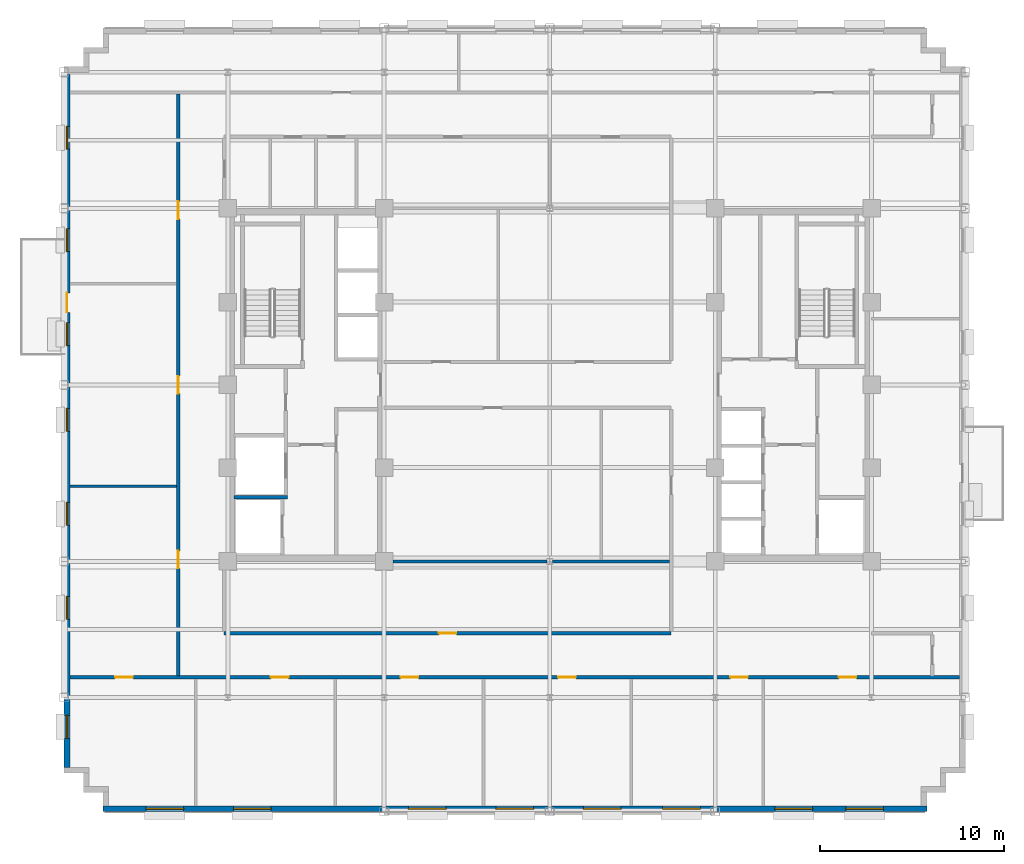
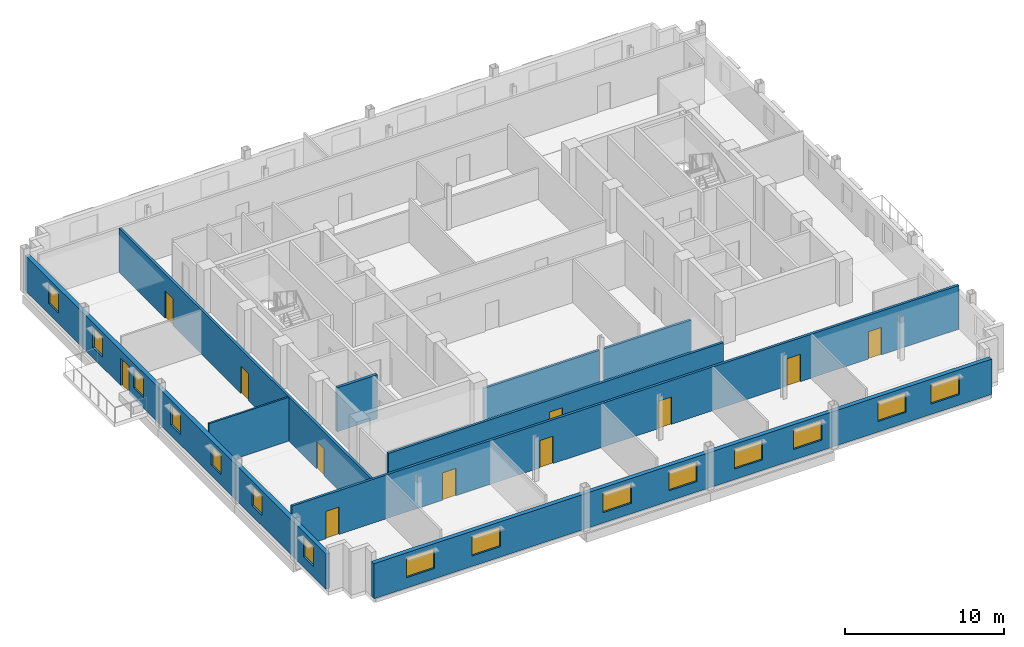
# One storey, part 7 of 15: 15 windows, 11 doors, 9 walls, 26 openings.
"""IFC4 building model written with IfcOpenShell, lengths in metres."""

from ifc_helpers import new_model, si_unit, direction, frame, frame_2d, origin, place, context, subcontext, project, spatial, rectangle, extrude, source, transform, mapped, material, layer, layer_set, type_object, type_shapes, element, fill, save


model = new_model("IFC4")

# Units and contexts
model_context = context("Model", 3, precision=1e-05, world=origin(), true_north=direction((0.0, 1.0)))
body_context = subcontext(model_context, "Body", "Model", "MODEL_VIEW")
ifc_project = project(units=[si_unit("LENGTHUNIT", "METRE"), si_unit("AREAUNIT", "SQUARE_METRE"), si_unit("VOLUMEUNIT", "CUBIC_METRE"), si_unit("PLANEANGLEUNIT", "RADIAN"), si_unit("MASSUNIT", "GRAM", prefix="KILO")], contexts=[model_context])

# Site, building, storey
site_placement = place(None, origin())
site = spatial("IfcSite", under=ifc_project, at=site_placement, CompositionType="ELEMENT")
building_placement = place(site_placement, origin())
building = spatial("IfcBuilding", under=site, at=building_placement, Name="Nuvemarco Arch Tower", CompositionType="ELEMENT")
storey_placement = place(building_placement, frame((0.0, 0.0, 194.550048828125)))
storey = spatial("IfcBuildingStorey", under=building, at=storey_placement, Name="L51", CompositionType="ELEMENT", Elevation=194.550048828125)

# Wall, openings, windows
ifc_material_1 = material(Name="Precast concrete C45/55", Category="concrete")
ifc_layer_1 = layer(ifc_material_1, 0.31005859375, Name="EW-UPP-310")
ifc_layer_set_1 = layer_set([ifc_layer_1], Name="Precast concrete C45/55")
wall_type_1 = type_object("IfcWallType", Name="EW-UPP-310", PredefinedType="STANDARD", material=ifc_layer_set_1)
wall_1_placement = place(storey_placement, frame((-24.300048828125, -23.044921875, 0.0), z_axis=(0.0, 0.0, 1.0), x_axis=(1.0, 0.0, 0.0)))
wall_1 = element("IfcWall", 1, at=wall_1_placement, inside=storey, type_object=wall_type_1, Name="L51 exterior precast facade wall 1", PredefinedType="STANDARD", context=body_context, shape_type="SweptSolid", body=[
    extrude(rectangle(XDim=44.800048828125, YDim=0.31005859375, at=frame_2d((22.39990234375, 0.0))), origin(), (0.0, 0.0, 1.0), 2.704833984375),
])
opening_1_placement = place(wall_1_placement, frame((2.352783203125, 0.0, 0.800048828125)))
opening_1 = element("IfcOpeningElement", 2, at=opening_1_placement, cuts=wall_1, Name="Opening WN-12", PredefinedType="OPENING", context=body_context, shape_type="SweptSolid", body=[
    extrude(rectangle(XDim=2.050048828125, YDim=1.52001953125, at=frame_2d((1.02490234375, 0.760009765625))), frame((0.0, 0.1650390625, 0.0), z_axis=(0.0, -1.0, 0.0), x_axis=(1.0, 0.0, 0.0)), (0.0, 0.0, 1.0), 0.330078125),
])
opening_2_placement = place(wall_1_placement, frame((7.1083984375, 0.0, 0.800048828125)))
opening_2 = element("IfcOpeningElement", 3, at=opening_2_placement, cuts=wall_1, Name="Opening WN-12", PredefinedType="OPENING", context=body_context, shape_type="SweptSolid", body=[
    extrude(rectangle(XDim=2.050048828125, YDim=1.52001953125, at=frame_2d((1.02490234375, 0.760009765625))), frame((0.0, 0.1650390625, 0.0), z_axis=(0.0, -1.0, 0.0), x_axis=(1.0, 0.0, 0.0)), (0.0, 0.0, 1.0), 0.330078125),
])
opening_3_placement = place(wall_1_placement, frame((16.619384765625, 0.0, 0.800048828125)))
opening_3 = element("IfcOpeningElement", 4, at=opening_3_placement, cuts=wall_1, Name="Opening WN-12", PredefinedType="OPENING", context=body_context, shape_type="SweptSolid", body=[
    extrude(rectangle(XDim=2.050048828125, YDim=1.52001953125, at=frame_2d((1.02490234375, 0.760009765625))), frame((0.0, 0.1650390625, 0.0), z_axis=(0.0, -1.0, 0.0), x_axis=(1.0, 0.0, 0.0)), (0.0, 0.0, 1.0), 0.330078125),
])
opening_4_placement = place(wall_1_placement, frame((21.375, 0.0, 0.800048828125)))
opening_4 = element("IfcOpeningElement", 5, at=opening_4_placement, cuts=wall_1, Name="Opening WN-12", PredefinedType="OPENING", context=body_context, shape_type="SweptSolid", body=[
    extrude(rectangle(XDim=2.050048828125, YDim=1.52001953125, at=frame_2d((1.02490234375, 0.760009765625))), frame((0.0, 0.1650390625, 0.0), z_axis=(0.0, -1.0, 0.0), x_axis=(1.0, 0.0, 0.0)), (0.0, 0.0, 1.0), 0.330078125),
])
opening_5_placement = place(wall_1_placement, frame((26.130615234375, 0.0, 0.800048828125)))
opening_5 = element("IfcOpeningElement", 6, at=opening_5_placement, cuts=wall_1, Name="Opening WN-12", PredefinedType="OPENING", context=body_context, shape_type="SweptSolid", body=[
    extrude(rectangle(XDim=2.050048828125, YDim=1.52001953125, at=frame_2d((1.02490234375, 0.760009765625))), frame((0.0, 0.1650390625, 0.0), z_axis=(0.0, -1.0, 0.0), x_axis=(1.0, 0.0, 0.0)), (0.0, 0.0, 1.0), 0.330078125),
])
opening_6_placement = place(wall_1_placement, frame((30.43603515625, 0.0, 0.800048828125)))
opening_6 = element("IfcOpeningElement", 7, at=opening_6_placement, cuts=wall_1, Name="Opening WN-12", PredefinedType="OPENING", context=body_context, shape_type="SweptSolid", body=[
    extrude(rectangle(XDim=2.050048828125, YDim=1.52001953125, at=frame_2d((1.02490234375, 0.760009765625))), frame((0.0, 0.1650390625, 0.0), z_axis=(0.0, -1.0, 0.0), x_axis=(1.0, 0.0, 0.0)), (0.0, 0.0, 1.0), 0.330078125),
])
opening_7_placement = place(wall_1_placement, frame((36.541748046875, 0.0, 0.800048828125)))
opening_7 = element("IfcOpeningElement", 8, at=opening_7_placement, cuts=wall_1, Name="Opening WN-12", PredefinedType="OPENING", context=body_context, shape_type="SweptSolid", body=[
    extrude(rectangle(XDim=2.050048828125, YDim=1.52001953125, at=frame_2d((1.02490234375, 0.760009765625))), frame((0.0, 0.1650390625, 0.0), z_axis=(0.0, -1.0, 0.0), x_axis=(1.0, 0.0, 0.0)), (0.0, 0.0, 1.0), 0.330078125),
])
opening_8_placement = place(wall_1_placement, frame((40.397216796875, 0.0, 0.800048828125)))
opening_8 = element("IfcOpeningElement", 9, at=opening_8_placement, cuts=wall_1, Name="Opening WN-12", PredefinedType="OPENING", context=body_context, shape_type="SweptSolid", body=[
    extrude(rectangle(XDim=2.050048828125, YDim=1.52001953125, at=frame_2d((1.02490234375, 0.760009765625))), frame((0.0, 0.1650390625, 0.0), z_axis=(0.0, -1.0, 0.0), x_axis=(1.0, 0.0, 0.0)), (0.0, 0.0, 1.0), 0.330078125),
])
ifc_material_2 = material(Name="Insulated solar-control glass", Category="glass")
window_type_1 = type_object("IfcWindowType", Name="WN-SET-2050x1520", PartitioningType="DOUBLE_PANEL_VERTICAL", PredefinedType="WINDOW", material=ifc_material_2)
shared_shape_1 = source(origin(), body_context, "Body", "SweptSolid", [
    extrude(rectangle(XDim=2.050048828125, YDim=1.52001953125, at=frame_2d((1.02490234375, 0.760009765625))), frame((0.0, 0.030029296875, 0.0), z_axis=(0.0, -1.0, 0.0), x_axis=(1.0, 0.0, 0.0)), (0.0, 0.0, 1.0), 0.06005859375),
])
type_shapes(window_type_1, [shared_shape_1])
window_1_placement = place(opening_1_placement, origin())
window_1 = element("IfcWindow", 10, at=window_1_placement, inside=storey, type_object=window_type_1, Name="L51 punched facade window 1", OverallHeight=1.52001953125, OverallWidth=2.050048828125, PartitioningType="SINGLE_PANEL", PredefinedType="WINDOW", context=body_context, shape_type="MappedRepresentation", body=[
    mapped(shared_shape_1, transform((0.0, 0.0, 0.0), scale=1.0)),
])
fill(opening_1, window_1)
window_2_placement = place(opening_2_placement, origin())
window_2 = element("IfcWindow", 11, at=window_2_placement, inside=storey, type_object=window_type_1, Name="L51 punched facade window 2", OverallHeight=1.52001953125, OverallWidth=2.050048828125, PartitioningType="SINGLE_PANEL", PredefinedType="WINDOW", context=body_context, shape_type="MappedRepresentation", body=[
    mapped(shared_shape_1, transform((0.0, 0.0, 0.0), scale=1.0)),
])
fill(opening_2, window_2)
window_3_placement = place(opening_3_placement, origin())
window_3 = element("IfcWindow", 12, at=window_3_placement, inside=storey, type_object=window_type_1, Name="L51 punched facade window 4", OverallHeight=1.52001953125, OverallWidth=2.050048828125, PartitioningType="SINGLE_PANEL", PredefinedType="WINDOW", context=body_context, shape_type="MappedRepresentation", body=[
    mapped(shared_shape_1, transform((0.0, 0.0, 0.0), scale=1.0)),
])
fill(opening_3, window_3)
window_4_placement = place(opening_4_placement, origin())
window_4 = element("IfcWindow", 13, at=window_4_placement, inside=storey, type_object=window_type_1, Name="L51 punched facade window 5", OverallHeight=1.52001953125, OverallWidth=2.050048828125, PartitioningType="SINGLE_PANEL", PredefinedType="WINDOW", context=body_context, shape_type="MappedRepresentation", body=[
    mapped(shared_shape_1, transform((0.0, 0.0, 0.0), scale=1.0)),
])
fill(opening_4, window_4)
window_5_placement = place(opening_5_placement, origin())
window_5 = element("IfcWindow", 14, at=window_5_placement, inside=storey, type_object=window_type_1, Name="L51 punched facade window 6", OverallHeight=1.52001953125, OverallWidth=2.050048828125, PartitioningType="SINGLE_PANEL", PredefinedType="WINDOW", context=body_context, shape_type="MappedRepresentation", body=[
    mapped(shared_shape_1, transform((0.0, 0.0, 0.0), scale=1.0)),
])
fill(opening_5, window_5)
window_6_placement = place(opening_6_placement, origin())
window_6 = element("IfcWindow", 15, at=window_6_placement, inside=storey, type_object=window_type_1, Name="L51 punched facade window 7", OverallHeight=1.52001953125, OverallWidth=2.050048828125, PartitioningType="SINGLE_PANEL", PredefinedType="WINDOW", context=body_context, shape_type="MappedRepresentation", body=[
    mapped(shared_shape_1, transform((0.0, 0.0, 0.0), scale=1.0)),
])
fill(opening_6, window_6)
window_7_placement = place(opening_7_placement, origin())
window_7 = element("IfcWindow", 16, at=window_7_placement, inside=storey, type_object=window_type_1, Name="L51 punched facade window 8", OverallHeight=1.52001953125, OverallWidth=2.050048828125, PartitioningType="SINGLE_PANEL", PredefinedType="WINDOW", context=body_context, shape_type="MappedRepresentation", body=[
    mapped(shared_shape_1, transform((0.0, 0.0, 0.0), scale=1.0)),
])
fill(opening_7, window_7)
window_8_placement = place(opening_8_placement, origin())
window_8 = element("IfcWindow", 17, at=window_8_placement, inside=storey, type_object=window_type_1, Name="L51 punched facade window 9", OverallHeight=1.52001953125, OverallWidth=2.050048828125, PartitioningType="SINGLE_PANEL", PredefinedType="WINDOW", context=body_context, shape_type="MappedRepresentation", body=[
    mapped(shared_shape_1, transform((0.0, 0.0, 0.0), scale=1.0)),
])
fill(opening_8, window_8)

# Wall, openings, door, windows
wall_2_placement = place(storey_placement, frame((-26.2451171875, -20.7939453125, 0.0), z_axis=(0.0, 0.0, 1.0), x_axis=(0.0, 1.0, 0.0)))
wall_2 = element("IfcWall", 18, at=wall_2_placement, inside=storey, type_object=wall_type_1, Name="L51 exterior precast facade wall 16", PredefinedType="STANDARD", context=body_context, shape_type="SweptSolid", body=[
    extrude(rectangle(XDim=37.787841796875, YDim=0.31005859375, at=frame_2d((18.89404296875, 0.0))), origin(), (0.0, 0.0, 1.0), 2.704833984375),
])
opening_9_placement = place(wall_2_placement, frame((24.743896484375, 0.0, 0.0)))
opening_9 = element("IfcOpeningElement", 19, at=opening_9_placement, cuts=wall_2, Name="Opening ED-5", PredefinedType="OPENING", context=body_context, shape_type="SweptSolid", body=[
    extrude(rectangle(XDim=1.050048828125, YDim=2.10009765625, at=frame_2d((0.52490234375, 1.050048828125))), frame((0.0, 0.1650390625, 0.0), z_axis=(0.0, -1.0, 0.0), x_axis=(1.0, 0.0, 0.0)), (0.0, 0.0, 1.0), 0.330078125),
])
opening_10_placement = place(wall_2_placement, frame((1.581298828125, 0.0, 0.800048828125)))
opening_10 = element("IfcOpeningElement", 20, at=opening_10_placement, cuts=wall_2, Name="Opening WN-13", PredefinedType="OPENING", context=body_context, shape_type="SweptSolid", body=[
    extrude(rectangle(XDim=1.25, YDim=1.52001953125, at=frame_2d((0.625, 0.760009765625))), frame((0.0, 0.1650390625, 0.0), z_axis=(0.0, -1.0, 0.0), x_axis=(1.0, 0.0, 0.0)), (0.0, 0.0, 1.0), 0.330078125),
])
opening_11_placement = place(wall_2_placement, frame((8.0439453125, 0.0, 0.800048828125)))
opening_11 = element("IfcOpeningElement", 21, at=opening_11_placement, cuts=wall_2, Name="Opening WN-13", PredefinedType="OPENING", context=body_context, shape_type="SweptSolid", body=[
    extrude(rectangle(XDim=1.25, YDim=1.52001953125, at=frame_2d((0.625, 0.760009765625))), frame((0.0, 0.1650390625, 0.0), z_axis=(0.0, -1.0, 0.0), x_axis=(1.0, 0.0, 0.0)), (0.0, 0.0, 1.0), 0.330078125),
])
opening_12_placement = place(wall_2_placement, frame((13.156494140625, 0.0, 0.800048828125)))
opening_12 = element("IfcOpeningElement", 22, at=opening_12_placement, cuts=wall_2, Name="Opening WN-13", PredefinedType="OPENING", context=body_context, shape_type="SweptSolid", body=[
    extrude(rectangle(XDim=1.25, YDim=1.52001953125, at=frame_2d((0.625, 0.760009765625))), frame((0.0, 0.1650390625, 0.0), z_axis=(0.0, -1.0, 0.0), x_axis=(1.0, 0.0, 0.0)), (0.0, 0.0, 1.0), 0.330078125),
])
opening_13_placement = place(wall_2_placement, frame((18.26904296875, 0.0, 0.800048828125)))
opening_13 = element("IfcOpeningElement", 23, at=opening_13_placement, cuts=wall_2, Name="Opening WN-13", PredefinedType="OPENING", context=body_context, shape_type="SweptSolid", body=[
    extrude(rectangle(XDim=1.25, YDim=1.52001953125, at=frame_2d((0.625, 0.760009765625))), frame((0.0, 0.1650390625, 0.0), z_axis=(0.0, -1.0, 0.0), x_axis=(1.0, 0.0, 0.0)), (0.0, 0.0, 1.0), 0.330078125),
])
opening_14_placement = place(wall_2_placement, frame((22.931640625, 0.0, 0.800048828125)))
opening_14 = element("IfcOpeningElement", 24, at=opening_14_placement, cuts=wall_2, Name="Opening WN-13", PredefinedType="OPENING", context=body_context, shape_type="SweptSolid", body=[
    extrude(rectangle(XDim=1.25, YDim=1.52001953125, at=frame_2d((0.625, 0.760009765625))), frame((0.0, 0.1650390625, 0.0), z_axis=(0.0, -1.0, 0.0), x_axis=(1.0, 0.0, 0.0)), (0.0, 0.0, 1.0), 0.330078125),
])
opening_15_placement = place(wall_2_placement, frame((28.044189453125, 0.0, 0.800048828125)))
opening_15 = element("IfcOpeningElement", 25, at=opening_15_placement, cuts=wall_2, Name="Opening WN-13", PredefinedType="OPENING", context=body_context, shape_type="SweptSolid", body=[
    extrude(rectangle(XDim=1.25, YDim=1.52001953125, at=frame_2d((0.625, 0.760009765625))), frame((0.0, 0.1650390625, 0.0), z_axis=(0.0, -1.0, 0.0), x_axis=(1.0, 0.0, 0.0)), (0.0, 0.0, 1.0), 0.330078125),
])
opening_16_placement = place(wall_2_placement, frame((33.606689453125, 0.0, 0.800048828125)))
opening_16 = element("IfcOpeningElement", 26, at=opening_16_placement, cuts=wall_2, Name="Opening WN-13", PredefinedType="OPENING", context=body_context, shape_type="SweptSolid", body=[
    extrude(rectangle(XDim=1.25, YDim=1.52001953125, at=frame_2d((0.625, 0.760009765625))), frame((0.0, 0.1650390625, 0.0), z_axis=(0.0, -1.0, 0.0), x_axis=(1.0, 0.0, 0.0)), (0.0, 0.0, 1.0), 0.330078125),
])
ifc_material_3 = material(Name="Anodised bronze and laminated glass", Category="glass")
door_type_1 = type_object("IfcDoorType", Name="DR-EXT-TERR", OperationType="NOTDEFINED", PredefinedType="DOOR", material=ifc_material_3)
shared_shape_2 = source(origin(), body_context, "Body", "SweptSolid", [
    extrude(rectangle(XDim=1.050048828125, YDim=2.10009765625, at=frame_2d((0.52490234375, 1.050048828125))), frame((0.0, 0.02490234375, 0.0), z_axis=(0.0, -1.0, 0.0), x_axis=(1.0, 0.0, 0.0)), (0.0, 0.0, 1.0), 0.050048828125),
])
type_shapes(door_type_1, [shared_shape_2])
door_1_placement = place(opening_9_placement, origin())
door_1 = element("IfcDoor", 27, at=door_1_placement, inside=storey, type_object=door_type_1, Name="L51 spiral terrace access door", OperationType="SINGLE_SWING_LEFT", OverallHeight=2.10009765625, OverallWidth=1.050048828125, PredefinedType="DOOR", context=body_context, shape_type="MappedRepresentation", body=[
    mapped(shared_shape_2, transform((0.0, 0.0, 0.0), scale=1.0)),
])
fill(opening_9, door_1)
window_type_2 = type_object("IfcWindowType", Name="WN-SET-1250x1520", PartitioningType="SINGLE_PANEL", PredefinedType="WINDOW", material=ifc_material_2)
shared_shape_3 = source(origin(), body_context, "Body", "SweptSolid", [
    extrude(rectangle(XDim=1.25, YDim=1.52001953125, at=frame_2d((0.625, 0.760009765625))), frame((0.0, 0.030029296875, 0.0), z_axis=(0.0, -1.0, 0.0), x_axis=(1.0, 0.0, 0.0)), (0.0, 0.0, 1.0), 0.06005859375),
])
type_shapes(window_type_2, [shared_shape_3])
window_9_placement = place(opening_10_placement, origin())
window_9 = element("IfcWindow", 28, at=window_9_placement, inside=storey, type_object=window_type_2, Name="L51 punched facade window 1", OverallHeight=1.52001953125, OverallWidth=1.25, PartitioningType="SINGLE_PANEL", PredefinedType="WINDOW", context=body_context, shape_type="MappedRepresentation", body=[
    mapped(shared_shape_3, transform((0.0, 0.0, 0.0), scale=1.0)),
])
fill(opening_10, window_9)
window_10_placement = place(opening_11_placement, origin())
window_10 = element("IfcWindow", 29, at=window_10_placement, inside=storey, type_object=window_type_2, Name="L51 punched facade window 2", OverallHeight=1.52001953125, OverallWidth=1.25, PartitioningType="SINGLE_PANEL", PredefinedType="WINDOW", context=body_context, shape_type="MappedRepresentation", body=[
    mapped(shared_shape_3, transform((0.0, 0.0, 0.0), scale=1.0)),
])
fill(opening_11, window_10)
window_11_placement = place(opening_12_placement, origin())
window_11 = element("IfcWindow", 30, at=window_11_placement, inside=storey, type_object=window_type_2, Name="L51 punched facade window 3", OverallHeight=1.52001953125, OverallWidth=1.25, PartitioningType="SINGLE_PANEL", PredefinedType="WINDOW", context=body_context, shape_type="MappedRepresentation", body=[
    mapped(shared_shape_3, transform((0.0, 0.0, 0.0), scale=1.0)),
])
fill(opening_12, window_11)
window_12_placement = place(opening_13_placement, origin())
window_12 = element("IfcWindow", 31, at=window_12_placement, inside=storey, type_object=window_type_2, Name="L51 punched facade window 4", OverallHeight=1.52001953125, OverallWidth=1.25, PartitioningType="SINGLE_PANEL", PredefinedType="WINDOW", context=body_context, shape_type="MappedRepresentation", body=[
    mapped(shared_shape_3, transform((0.0, 0.0, 0.0), scale=1.0)),
])
fill(opening_13, window_12)
window_13_placement = place(opening_14_placement, origin())
window_13 = element("IfcWindow", 32, at=window_13_placement, inside=storey, type_object=window_type_2, Name="L51 punched facade window 5", OverallHeight=1.52001953125, OverallWidth=1.25, PartitioningType="SINGLE_PANEL", PredefinedType="WINDOW", context=body_context, shape_type="MappedRepresentation", body=[
    mapped(shared_shape_3, transform((0.0, 0.0, 0.0), scale=1.0)),
])
fill(opening_14, window_13)
window_14_placement = place(opening_15_placement, origin())
window_14 = element("IfcWindow", 33, at=window_14_placement, inside=storey, type_object=window_type_2, Name="L51 punched facade window 6", OverallHeight=1.52001953125, OverallWidth=1.25, PartitioningType="SINGLE_PANEL", PredefinedType="WINDOW", context=body_context, shape_type="MappedRepresentation", body=[
    mapped(shared_shape_3, transform((0.0, 0.0, 0.0), scale=1.0)),
])
fill(opening_15, window_14)
window_15_placement = place(opening_16_placement, origin())
window_15 = element("IfcWindow", 34, at=window_15_placement, inside=storey, type_object=window_type_2, Name="L51 punched facade window 7", OverallHeight=1.52001953125, OverallWidth=1.25, PartitioningType="SINGLE_PANEL", PredefinedType="WINDOW", context=body_context, shape_type="MappedRepresentation", body=[
    mapped(shared_shape_3, transform((0.0, 0.0, 0.0), scale=1.0)),
])
fill(opening_16, window_15)

# Wall, openings, doors
ifc_material_4 = material(Name="Fire-rated gypsum drywall partition")
ifc_layer_2 = layer(ifc_material_4, 0.179931640625, Name="WL-CORR-180")
ifc_layer_set_2 = layer_set([ifc_layer_2], Name="Fire-rated gypsum drywall partition")
wall_type_2 = type_object("IfcWallType", Name="WL-CORR-180", PredefinedType="PARTITIONING", material=ifc_layer_set_2)
wall_3_placement = place(storey_placement, frame((-26.090087890625, -15.89990234375, 0.0), z_axis=(0.0, 0.0, 1.0), x_axis=(1.0, 0.0, 0.0)))
wall_3 = element("IfcWall", 35, at=wall_3_placement, inside=storey, type_object=wall_type_2, Name="L51 interior wall IW-L51-001", PredefinedType="PARTITIONING", context=body_context, shape_type="SweptSolid", body=[
    extrude(rectangle(XDim=48.380126953125, YDim=0.179931640625, at=frame_2d((24.18994140625, 0.0))), origin(), (0.0, 0.0, 1.0), 3.35986328125),
])
opening_17_placement = place(wall_3_placement, frame((41.81005859375, 0.0, 0.0)))
opening_17 = element("IfcOpeningElement", 36, at=opening_17_placement, cuts=wall_3, Name="Opening FD-5", PredefinedType="OPENING", context=body_context, shape_type="SweptSolid", body=[
    extrude(rectangle(XDim=0.9599609375, YDim=2.10009765625, at=frame_2d((0.47998046875, 1.050048828125))), frame((0.0, 0.099853515625, 0.0), z_axis=(0.0, -1.0, 0.0), x_axis=(1.0, 0.0, 0.0)), (0.0, 0.0, 1.0), 0.199951171875),
])
opening_18_placement = place(wall_3_placement, frame((17.985107421875, 0.0, 0.0)))
opening_18 = element("IfcOpeningElement", 37, at=opening_18_placement, cuts=wall_3, Name="Opening FD-5", PredefinedType="OPENING", context=body_context, shape_type="SweptSolid", body=[
    extrude(rectangle(XDim=0.9599609375, YDim=2.10009765625, at=frame_2d((0.47998046875, 1.050048828125))), frame((0.0, 0.099853515625, 0.0), z_axis=(0.0, -1.0, 0.0), x_axis=(1.0, 0.0, 0.0)), (0.0, 0.0, 1.0), 0.199951171875),
])
opening_19_placement = place(wall_3_placement, frame((26.550048828125, 0.0, 0.0)))
opening_19 = element("IfcOpeningElement", 38, at=opening_19_placement, cuts=wall_3, Name="Opening FD-5", PredefinedType="OPENING", context=body_context, shape_type="SweptSolid", body=[
    extrude(rectangle(XDim=0.9599609375, YDim=2.10009765625, at=frame_2d((0.47998046875, 1.050048828125))), frame((0.0, 0.099853515625, 0.0), z_axis=(0.0, -1.0, 0.0), x_axis=(1.0, 0.0, 0.0)), (0.0, 0.0, 1.0), 0.199951171875),
])
opening_20_placement = place(wall_3_placement, frame((10.93505859375, 0.0, 0.0)))
opening_20 = element("IfcOpeningElement", 39, at=opening_20_placement, cuts=wall_3, Name="Opening FD-5", PredefinedType="OPENING", context=body_context, shape_type="SweptSolid", body=[
    extrude(rectangle(XDim=0.9599609375, YDim=2.10009765625, at=frame_2d((0.47998046875, 1.050048828125))), frame((0.0, 0.099853515625, 0.0), z_axis=(0.0, -1.0, 0.0), x_axis=(1.0, 0.0, 0.0)), (0.0, 0.0, 1.0), 0.199951171875),
])
opening_21_placement = place(wall_3_placement, frame((35.909912109375, 0.0, 0.0)))
opening_21 = element("IfcOpeningElement", 40, at=opening_21_placement, cuts=wall_3, Name="Opening FD-5", PredefinedType="OPENING", context=body_context, shape_type="SweptSolid", body=[
    extrude(rectangle(XDim=0.9599609375, YDim=2.10009765625, at=frame_2d((0.47998046875, 1.050048828125))), frame((0.0, 0.099853515625, 0.0), z_axis=(0.0, -1.0, 0.0), x_axis=(1.0, 0.0, 0.0)), (0.0, 0.0, 1.0), 0.199951171875),
])
opening_22_placement = place(wall_3_placement, frame((2.465087890625, 0.0, 0.0)))
opening_22 = element("IfcOpeningElement", 41, at=opening_22_placement, cuts=wall_3, Name="Opening FD-5", PredefinedType="OPENING", context=body_context, shape_type="SweptSolid", body=[
    extrude(rectangle(XDim=0.9599609375, YDim=2.10009765625, at=frame_2d((0.47998046875, 1.050048828125))), frame((0.0, 0.099853515625, 0.0), z_axis=(0.0, -1.0, 0.0), x_axis=(1.0, 0.0, 0.0)), (0.0, 0.0, 1.0), 0.199951171875),
])
ifc_material_5 = material(Name="Timber fire door", Category="wood")
door_type_2 = type_object("IfcDoorType", Name="DR-CORR-FD", OperationType="NOTDEFINED", PredefinedType="DOOR", material=ifc_material_5)
shared_shape_4 = source(origin(), body_context, "Body", "SweptSolid", [
    extrude(rectangle(XDim=0.9599609375, YDim=2.10009765625, at=frame_2d((0.47998046875, 1.050048828125))), frame((0.0, 0.02490234375, 0.0), z_axis=(0.0, -1.0, 0.0), x_axis=(1.0, 0.0, 0.0)), (0.0, 0.0, 1.0), 0.050048828125),
])
type_shapes(door_type_2, [shared_shape_4])
door_2_placement = place(opening_17_placement, origin())
door_2 = element("IfcDoor", 42, at=door_2_placement, inside=storey, type_object=door_type_2, Name="L51 door DR-L51-S_6", OperationType="SINGLE_SWING_RIGHT", OverallHeight=2.10009765625, OverallWidth=0.9599609375, PredefinedType="DOOR", context=body_context, shape_type="MappedRepresentation", body=[
    mapped(shared_shape_4, transform((0.0, 0.0, 0.0), scale=1.0)),
])
fill(opening_17, door_2)
door_3_placement = place(opening_18_placement, origin())
door_3 = element("IfcDoor", 43, at=door_3_placement, inside=storey, type_object=door_type_2, Name="L51 door DR-L51-S_3", OperationType="SINGLE_SWING_RIGHT", OverallHeight=2.10009765625, OverallWidth=0.9599609375, PredefinedType="DOOR", context=body_context, shape_type="MappedRepresentation", body=[
    mapped(shared_shape_4, transform((0.0, 0.0, 0.0), scale=1.0)),
])
fill(opening_18, door_3)
door_4_placement = place(opening_19_placement, origin())
door_4 = element("IfcDoor", 44, at=door_4_placement, inside=storey, type_object=door_type_2, Name="L51 door DR-L51-S_4", OperationType="SINGLE_SWING_LEFT", OverallHeight=2.10009765625, OverallWidth=0.9599609375, PredefinedType="DOOR", context=body_context, shape_type="MappedRepresentation", body=[
    mapped(shared_shape_4, transform((0.0, 0.0, 0.0), scale=1.0)),
])
fill(opening_19, door_4)
door_5_placement = place(opening_20_placement, origin())
door_5 = element("IfcDoor", 45, at=door_5_placement, inside=storey, type_object=door_type_2, Name="L51 door DR-L51-S_2", OperationType="SINGLE_SWING_RIGHT", OverallHeight=2.10009765625, OverallWidth=0.9599609375, PredefinedType="DOOR", context=body_context, shape_type="MappedRepresentation", body=[
    mapped(shared_shape_4, transform((0.0, 0.0, 0.0), scale=1.0)),
])
fill(opening_20, door_5)
door_6_placement = place(opening_21_placement, origin())
door_6 = element("IfcDoor", 46, at=door_6_placement, inside=storey, type_object=door_type_2, Name="L51 door DR-L51-S_5", OperationType="SINGLE_SWING_RIGHT", OverallHeight=2.10009765625, OverallWidth=0.9599609375, PredefinedType="DOOR", context=body_context, shape_type="MappedRepresentation", body=[
    mapped(shared_shape_4, transform((0.0, 0.0, 0.0), scale=1.0)),
])
fill(opening_21, door_6)
door_7_placement = place(opening_22_placement, origin())
door_7 = element("IfcDoor", 47, at=door_7_placement, inside=storey, type_object=door_type_2, Name="L51 door DR-L51-S_1", OperationType="SINGLE_SWING_LEFT", OverallHeight=2.10009765625, OverallWidth=0.9599609375, PredefinedType="DOOR", context=body_context, shape_type="MappedRepresentation", body=[
    mapped(shared_shape_4, transform((0.0, 0.0, 0.0), scale=1.0)),
])
fill(opening_22, door_7)

# Wall, opening, door
wall_4_placement = place(storey_placement, frame((-17.699951171875, -13.5, 0.0), z_axis=(0.0, 0.0, 1.0), x_axis=(1.0, 0.0, 0.0)))
wall_4 = element("IfcWall", 48, at=wall_4_placement, inside=storey, type_object=wall_type_2, Name="L51 interior wall IW-L51-002", PredefinedType="PARTITIONING", context=body_context, shape_type="SweptSolid", body=[
    extrude(rectangle(XDim=24.300048828125, YDim=0.179931640625, at=frame_2d((12.14990234375, 0.0))), origin(), (0.0, 0.0, 1.0), 3.008056640625),
])
opening_23_placement = place(wall_4_placement, frame((11.669921875, 0.0, 0.0)))
opening_23 = element("IfcOpeningElement", 49, at=opening_23_placement, cuts=wall_4, Name="Opening FD-5", PredefinedType="OPENING", context=body_context, shape_type="SweptSolid", body=[
    extrude(rectangle(XDim=0.9599609375, YDim=2.10009765625, at=frame_2d((0.47998046875, 1.050048828125))), frame((0.0, 0.099853515625, 0.0), z_axis=(0.0, -1.0, 0.0), x_axis=(1.0, 0.0, 0.0)), (0.0, 0.0, 1.0), 0.199951171875),
])
door_8_placement = place(opening_23_placement, origin())
door_8 = element("IfcDoor", 50, at=door_8_placement, inside=storey, type_object=door_type_2, Name="L51 door DR-L51-IN_S1", OperationType="SINGLE_SWING_LEFT", OverallHeight=2.10009765625, OverallWidth=0.9599609375, PredefinedType="DOOR", context=body_context, shape_type="MappedRepresentation", body=[
    mapped(shared_shape_4, transform((0.0, 0.0, 0.0), scale=1.0)),
])
fill(opening_23, door_8)

# Wall, openings, doors
wall_5_placement = place(storey_placement, frame((-20.199951171875, -15.81396484375, 0.0), z_axis=(0.0, 0.0, 1.0), x_axis=(0.0, 1.0, 0.0)))
wall_5 = element("IfcWall", 51, at=wall_5_placement, inside=storey, type_object=wall_type_2, Name="L51 interior wall IW-L51-016", PredefinedType="PARTITIONING", context=body_context, shape_type="SweptSolid", body=[
    extrude(rectangle(XDim=31.6279296875, YDim=0.179931640625, at=frame_2d((15.81396484375, 0.0))), origin(), (0.0, 0.0, 1.0), 3.35986328125),
])
opening_24_placement = place(wall_5_placement, frame((15.333984375, 0.0, 0.0)))
opening_24 = element("IfcOpeningElement", 52, at=opening_24_placement, cuts=wall_5, Name="Opening FD-5", PredefinedType="OPENING", context=body_context, shape_type="SweptSolid", body=[
    extrude(rectangle(XDim=0.9599609375, YDim=2.10009765625, at=frame_2d((0.47998046875, 1.050048828125))), frame((0.0, 0.099853515625, 0.0), z_axis=(0.0, -1.0, 0.0), x_axis=(1.0, 0.0, 0.0)), (0.0, 0.0, 1.0), 0.199951171875),
])
opening_25_placement = place(wall_5_placement, frame((5.833984375, 0.0, 0.0)))
opening_25 = element("IfcOpeningElement", 53, at=opening_25_placement, cuts=wall_5, Name="Opening FD-5", PredefinedType="OPENING", context=body_context, shape_type="SweptSolid", body=[
    extrude(rectangle(XDim=0.9599609375, YDim=2.10009765625, at=frame_2d((0.47998046875, 1.050048828125))), frame((0.0, 0.099853515625, 0.0), z_axis=(0.0, -1.0, 0.0), x_axis=(1.0, 0.0, 0.0)), (0.0, 0.0, 1.0), 0.199951171875),
])
opening_26_placement = place(wall_5_placement, frame((24.833984375, 0.0, 0.0)))
opening_26 = element("IfcOpeningElement", 54, at=opening_26_placement, cuts=wall_5, Name="Opening FD-5", PredefinedType="OPENING", context=body_context, shape_type="SweptSolid", body=[
    extrude(rectangle(XDim=0.9599609375, YDim=2.10009765625, at=frame_2d((0.47998046875, 1.050048828125))), frame((0.0, 0.099853515625, 0.0), z_axis=(0.0, -1.0, 0.0), x_axis=(1.0, 0.0, 0.0)), (0.0, 0.0, 1.0), 0.199951171875),
])
door_9_placement = place(opening_24_placement, origin())
door_9 = element("IfcDoor", 55, at=door_9_placement, inside=storey, type_object=door_type_2, Name="L51 door DR-L51-W_2", OperationType="SINGLE_SWING_LEFT", OverallHeight=2.10009765625, OverallWidth=0.9599609375, PredefinedType="DOOR", context=body_context, shape_type="MappedRepresentation", body=[
    mapped(shared_shape_4, transform((0.0, 0.0, 0.0), scale=1.0)),
])
fill(opening_24, door_9)
door_10_placement = place(opening_25_placement, origin())
door_10 = element("IfcDoor", 56, at=door_10_placement, inside=storey, type_object=door_type_2, Name="L51 door DR-L51-W_1", OperationType="SINGLE_SWING_RIGHT", OverallHeight=2.10009765625, OverallWidth=0.9599609375, PredefinedType="DOOR", context=body_context, shape_type="MappedRepresentation", body=[
    mapped(shared_shape_4, transform((0.0, 0.0, 0.0), scale=1.0)),
])
fill(opening_25, door_10)
door_11_placement = place(opening_26_placement, origin())
door_11 = element("IfcDoor", 57, at=door_11_placement, inside=storey, type_object=door_type_2, Name="L51 door DR-L51-W_3", OperationType="SINGLE_SWING_LEFT", OverallHeight=2.10009765625, OverallWidth=0.9599609375, PredefinedType="DOOR", context=body_context, shape_type="MappedRepresentation", body=[
    mapped(shared_shape_4, transform((0.0, 0.0, 0.0), scale=1.0)),
])
fill(opening_26, door_11)

# Walls
ifc_material_6 = material(Name="Glazed acoustic office partition")
ifc_layer_3 = layer(ifc_material_6, 0.1298828125, Name="WL-EXEC-130")
ifc_layer_set_3 = layer_set([ifc_layer_3], Name="Glazed acoustic office partition")
wall_type_3 = type_object("IfcWallType", Name="WL-EXEC-130", PredefinedType="PARTITIONING", material=ifc_layer_set_3)
wall_6_placement = place(storey_placement, frame((-26.090087890625, -5.5, 0.0), z_axis=(0.0, 0.0, 1.0), x_axis=(1.0, 0.0, 0.0)))
element("IfcWall", 58, at=wall_6_placement, inside=storey, type_object=wall_type_3, Name="L51 interior wall IW-L51-006", PredefinedType="PARTITIONING", context=body_context, shape_type="SweptSolid", body=[
    extrude(rectangle(XDim=5.80419921875, YDim=0.1298828125, at=frame_2d((2.902099609375, 0.0))), origin(), (0.0, 0.0, 1.0), 3.35986328125),
])
ifc_material_7 = material(Name="Concrete C50/60", Category="concrete")
ifc_layer_4 = layer(ifc_material_7, 0.199951171875, Name="WL-SHAFT-220")
ifc_layer_set_4 = layer_set([ifc_layer_4], Name="Concrete C50/60")
wall_type_4 = type_object("IfcWallType", Name="WL-SHAFT-220", PredefinedType="SHEAR", material=ifc_layer_set_4)
wall_7_placement = place(storey_placement, frame((-17.155029296875, -6.10009765625, 0.0), z_axis=(0.0, 0.0, 1.0), x_axis=(1.0, 0.0, 0.0)))
element("IfcWall", 59, at=wall_7_placement, inside=storey, type_object=wall_type_4, Name="L51 structural shaft wall SW-L51-W-SH1", PredefinedType="SHEAR", context=body_context, shape_type="SweptSolid", body=[
    extrude(rectangle(XDim=2.905029296875, YDim=0.199951171875, at=frame_2d((1.45263671875, 0.0))), origin(), (0.0, 0.0, 1.0), 3.369873046875),
])
ifc_material_8 = material(Name="Acoustic gypsum drywall partition")
ifc_layer_5 = layer(ifc_material_8, 0.159912109375, Name="WL-TENANT-160")
ifc_layer_set_5 = layer_set([ifc_layer_5], Name="Acoustic gypsum drywall partition")
wall_type_5 = type_object("IfcWallType", Name="WL-TENANT-160", PredefinedType="PARTITIONING", material=ifc_layer_set_5)
wall_8_placement = place(storey_placement, frame((-8.529052734375, -9.60009765625, 0.0), z_axis=(0.0, 0.0, 1.0), x_axis=(1.0, 0.0, 0.0)))
element("IfcWall", 60, at=wall_8_placement, inside=storey, type_object=wall_type_5, Name="L51 interior wall IW-L51-004", PredefinedType="PARTITIONING", context=body_context, shape_type="SweptSolid", body=[
    extrude(rectangle(XDim=8.378173828125, YDim=0.159912109375, at=frame_2d((4.18896484375, 0.0))), origin(), (0.0, 0.0, 1.0), 2.405029296875),
])
wall_9_placement = place(storey_placement, frame((0.15087890625, -9.60009765625, 0.0), z_axis=(0.0, 0.0, 1.0), x_axis=(1.0, 0.0, 0.0)))
element("IfcWall", 61, at=wall_9_placement, inside=storey, type_object=wall_type_5, Name="L51 interior wall IW-L51-005", PredefinedType="PARTITIONING", context=body_context, shape_type="SweptSolid", body=[
    extrude(rectangle(XDim=6.363037109375, YDim=0.159912109375, at=frame_2d((3.181640625, 0.0))), origin(), (0.0, 0.0, 1.0), 2.405029296875),
])

save(model, "model.ifc")
